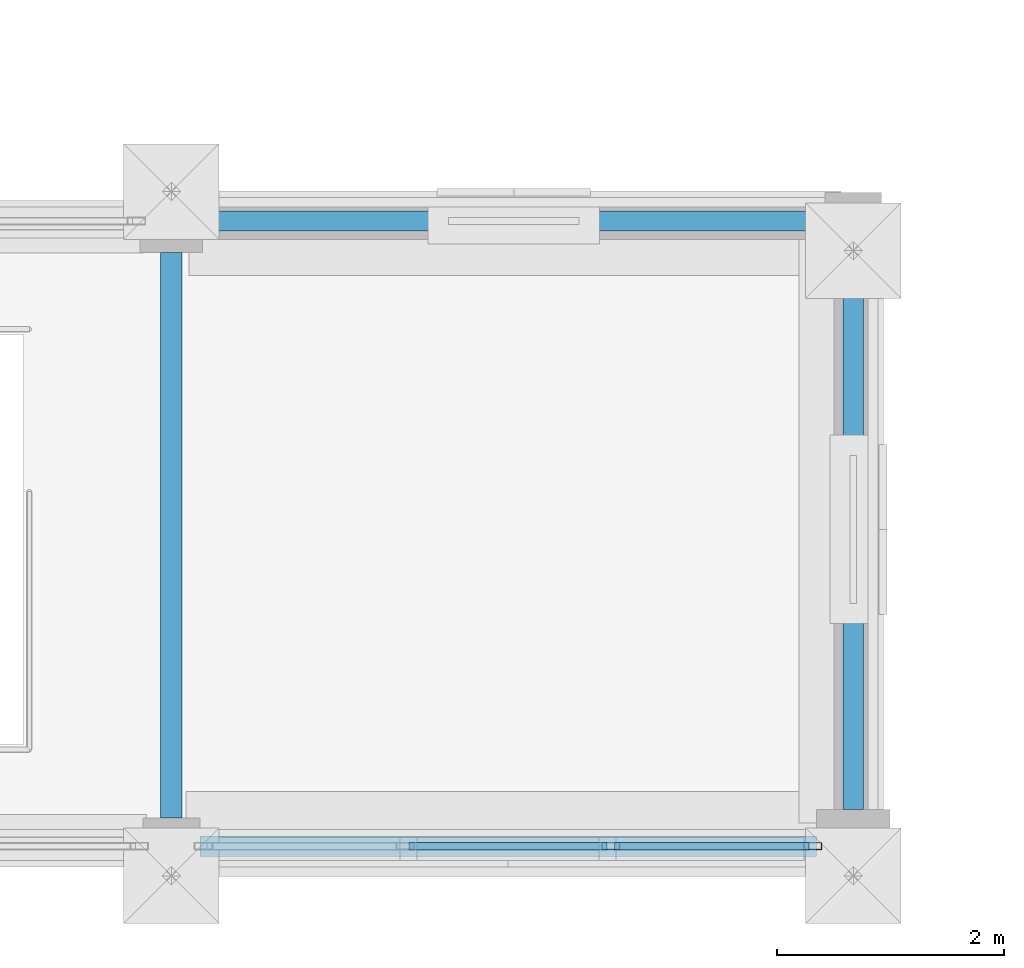
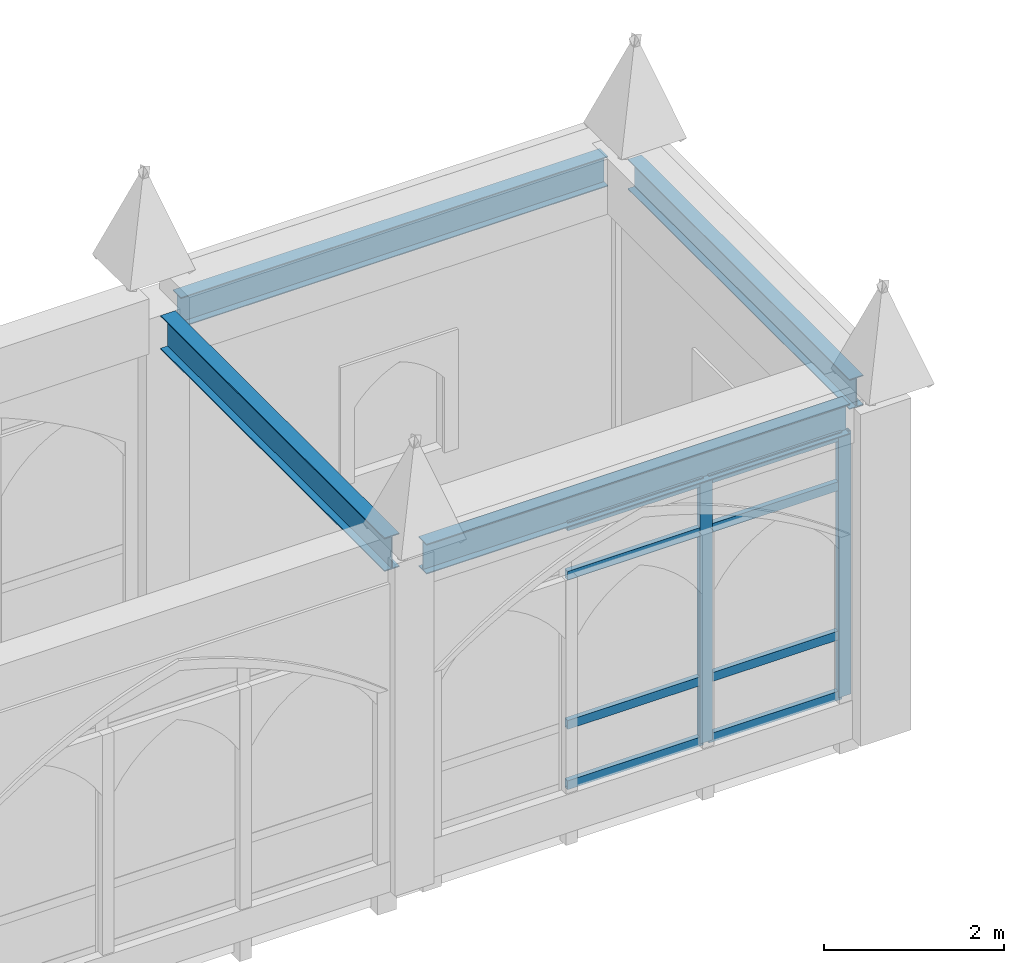
# One storey, part 36 of 143: 10 members, 4 beams, 1 element without a shape of its own.
"""IFC4 building model written with IfcOpenShell, lengths in metres."""

from ifc_helpers import new_model, si_unit, direction, frame, origin, origin_2d, place, context, subcontext, project, spatial, hollow_rectangle, i_section, extrude, material, layer, layer_set, material_profile, profile_set, type_object, element, aggregate, save


model = new_model("IFC4")

# Units and contexts
model_context = context("Model", 3, precision=1e-05, world=origin(), true_north=direction((0.0, 1.0)))
body_context = subcontext(model_context, "Body", "Model", "MODEL_VIEW")
ifc_project = project(units=[si_unit("LENGTHUNIT", "METRE"), si_unit("AREAUNIT", "SQUARE_METRE"), si_unit("VOLUMEUNIT", "CUBIC_METRE"), si_unit("PLANEANGLEUNIT", "RADIAN"), si_unit("MASSUNIT", "GRAM", prefix="KILO")], contexts=[model_context])

# Site, building, storey
site_placement = place(None, origin())
site = spatial("IfcSite", under=ifc_project, at=site_placement, CompositionType="ELEMENT")
building_placement = place(site_placement, origin())
building = spatial("IfcBuilding", under=site, at=building_placement, Name="Cumevento Cable Car Station", CompositionType="ELEMENT")
storey_placement = place(building_placement, frame((0.0, 0.0, 9.0)))
storey = spatial("IfcBuildingStorey", under=building, at=storey_placement, Name="L03", CompositionType="ELEMENT", Elevation=9.0)

# Curtain wall, members
ifc_material_1 = material(Name="Anodised Bronze Aluminium AW-6063-T6", Category="aluminium")
ifc_layer = layer(ifc_material_1, 0.25)
ifc_layer_set = layer_set([ifc_layer], Name="Anodised Bronze Aluminium AW-6063-T6")
curtain_wall_type = type_object("IfcCurtainWallType", Name="Lancet Curtain Wall CW-16 1650", PredefinedType="NOTDEFINED", material=ifc_layer_set)
curtain_wall_placement = place(storey_placement, origin())
curtain_wall = element("IfcCurtainWall", 1, at=curtain_wall_placement, inside=storey, type_object=curtain_wall_type, Name="Lancet Curtain Wall CW-16 L03 #79", PredefinedType="NOTDEFINED")
ifc_material_2 = material(Name="Anodised Bronze Aluminium AW-6063-T6", Category="aluminium")
ifc_material_profile_1 = material_profile(ifc_material_2, hollow_rectangle(XDim=0.06494140625, YDim=0.159912109375, WallThickness=0.00390625, at=origin_2d()), Name="ALUM65x160x4")
ifc_profile_set_1 = profile_set([ifc_material_profile_1], Name="Anodised Bronze Aluminium AW-6063-T6")
member_type_1 = type_object("IfcMemberType", Name="Curtain Mullion CWM-01 ALUM65x160x4", PredefinedType="MULLION", material=ifc_profile_set_1)
member_1_placement = place(storey_placement, frame((81.642578125, 4.0, 0.52001953125), z_axis=(0.0, 0.0, 1.0), x_axis=(0.0, -1.0, 0.0)))
member_1 = element("IfcMember", 2, at=member_1_placement, type_object=member_type_1, Name="CW-16 mullion 1", PredefinedType="MULLION", context=body_context, shape_type="SweptSolid", body=[
    extrude(hollow_rectangle(XDim=0.06494140625, YDim=0.159912109375, WallThickness=0.00390625, at=origin_2d()), origin(), (0.0, 0.0, 1.0), 3.572998046875),
])
member_2_placement = place(storey_placement, frame((79.86669921875, 4.0, 0.52001953125), z_axis=(0.0, 0.0, 1.0), x_axis=(0.0, -1.0, 0.0)))
member_2 = element("IfcMember", 3, at=member_2_placement, type_object=member_type_1, Name="CW-16 mullion 2", PredefinedType="MULLION", context=body_context, shape_type="SweptSolid", body=[
    extrude(hollow_rectangle(XDim=0.06494140625, YDim=0.159912109375, WallThickness=0.00390625, at=origin_2d()), origin(), (0.0, 0.0, 1.0), 3.572998046875),
])
ifc_material_3 = material(Name="Anodised Bronze Aluminium AW-6063-T6", Category="aluminium")
ifc_material_profile_2 = material_profile(ifc_material_3, hollow_rectangle(XDim=0.06494140625, YDim=0.1201171875, WallThickness=0.00390625, at=origin_2d()), Name="ALUT65x120x4")
ifc_profile_set_2 = profile_set([ifc_material_profile_2], Name="Anodised Bronze Aluminium AW-6063-T6")
member_type_2 = type_object("IfcMemberType", Name="Curtain Transom CWT-01 ALUT65x120x4", PredefinedType="USERDEFINED", material=ifc_profile_set_2)
member_3_placement = place(storey_placement, frame((81.610107421875, 4.0, 0.552490234375), z_axis=(-1.0, 0.0, 0.0), x_axis=(0.0, -1.0, 0.0)))
member_3 = element("IfcMember", 4, at=member_3_placement, type_object=member_type_2, Name="CW-16 transom 1.1", ObjectType="TRANSOM", PredefinedType="USERDEFINED", context=body_context, shape_type="SweptSolid", body=[
    extrude(hollow_rectangle(XDim=0.06494140625, YDim=0.1201171875, WallThickness=0.00390625, at=origin_2d()), origin(), (0.0, 0.0, 1.0), 1.7109375),
])
member_4_placement = place(storey_placement, frame((81.610107421875, 4.0, 1.3701171875), z_axis=(-1.0, 0.0, 0.0), x_axis=(0.0, -1.0, 0.0)))
member_4 = element("IfcMember", 5, at=member_4_placement, type_object=member_type_2, Name="CW-16 transom 1.2", ObjectType="TRANSOM", PredefinedType="USERDEFINED", context=body_context, shape_type="SweptSolid", body=[
    extrude(hollow_rectangle(XDim=0.06494140625, YDim=0.1201171875, WallThickness=0.00390625, at=origin_2d()), origin(), (0.0, 0.0, 1.0), 1.7109375),
])
member_5_placement = place(storey_placement, frame((81.610107421875, 4.0, 3.39306640625), z_axis=(-1.0, 0.0, 0.0), x_axis=(0.0, -1.0, 0.0)))
member_5 = element("IfcMember", 6, at=member_5_placement, type_object=member_type_2, Name="CW-16 transom 1.3", ObjectType="TRANSOM", PredefinedType="USERDEFINED", context=body_context, shape_type="SweptSolid", body=[
    extrude(hollow_rectangle(XDim=0.06494140625, YDim=0.1201171875, WallThickness=0.00390625, at=origin_2d()), origin(), (0.0, 0.0, 1.0), 1.7109375),
])
member_6_placement = place(storey_placement, frame((81.610107421875, 4.0, 4.060546875), z_axis=(-1.0, 0.0, 0.0), x_axis=(0.0, -1.0, 0.0)))
member_6 = element("IfcMember", 7, at=member_6_placement, type_object=member_type_2, Name="CW-16 transom 1.4", ObjectType="TRANSOM", PredefinedType="USERDEFINED", context=body_context, shape_type="SweptSolid", body=[
    extrude(hollow_rectangle(XDim=0.06494140625, YDim=0.1201171875, WallThickness=0.00390625, at=origin_2d()), origin(), (0.0, 0.0, 1.0), 1.7109375),
])
member_7_placement = place(storey_placement, frame((79.834228515625, 4.0, 0.552490234375), z_axis=(-1.0, 0.0, 0.0), x_axis=(0.0, -1.0, 0.0)))
member_7 = element("IfcMember", 8, at=member_7_placement, type_object=member_type_2, Name="CW-16 transom 2.1", ObjectType="TRANSOM", PredefinedType="USERDEFINED", context=body_context, shape_type="SweptSolid", body=[
    extrude(hollow_rectangle(XDim=0.06494140625, YDim=0.1201171875, WallThickness=0.00390625, at=origin_2d()), origin(), (0.0, 0.0, 1.0), 1.743408203125),
])
member_8_placement = place(storey_placement, frame((79.834228515625, 4.0, 1.3701171875), z_axis=(-1.0, 0.0, 0.0), x_axis=(0.0, -1.0, 0.0)))
member_8 = element("IfcMember", 9, at=member_8_placement, type_object=member_type_2, Name="CW-16 transom 2.2", ObjectType="TRANSOM", PredefinedType="USERDEFINED", context=body_context, shape_type="SweptSolid", body=[
    extrude(hollow_rectangle(XDim=0.06494140625, YDim=0.1201171875, WallThickness=0.00390625, at=origin_2d()), origin(), (0.0, 0.0, 1.0), 1.743408203125),
])
member_9_placement = place(storey_placement, frame((79.834228515625, 4.0, 3.39306640625), z_axis=(-1.0, 0.0, 0.0), x_axis=(0.0, -1.0, 0.0)))
member_9 = element("IfcMember", 10, at=member_9_placement, type_object=member_type_2, Name="CW-16 transom 2.3", ObjectType="TRANSOM", PredefinedType="USERDEFINED", context=body_context, shape_type="SweptSolid", body=[
    extrude(hollow_rectangle(XDim=0.06494140625, YDim=0.1201171875, WallThickness=0.00390625, at=origin_2d()), origin(), (0.0, 0.0, 1.0), 1.743408203125),
])
member_10_placement = place(storey_placement, frame((79.834228515625, 4.0, 4.060546875), z_axis=(-1.0, 0.0, 0.0), x_axis=(0.0, -1.0, 0.0)))
member_10 = element("IfcMember", 11, at=member_10_placement, type_object=member_type_2, Name="CW-16 transom 2.4", ObjectType="TRANSOM", PredefinedType="USERDEFINED", context=body_context, shape_type="SweptSolid", body=[
    extrude(hollow_rectangle(XDim=0.06494140625, YDim=0.1201171875, WallThickness=0.00390625, at=origin_2d()), origin(), (0.0, 0.0, 1.0), 1.743408203125),
])
aggregate(curtain_wall, [member_1, member_2, member_3, member_4, member_5, member_6, member_7, member_8, member_9, member_10])

# Beams
ifc_material_4 = material(Name="Steel ASTM A572 Grade 50", Category="steel")
ifc_material_profile_3 = material_profile(ifc_material_4, i_section(OverallWidth=0.18994140625, OverallDepth=0.45703125, WebThickness=0.009033203125, FlangeThickness=0.014404296875, at=origin_2d()), Name="W460x74.0")
ifc_profile_set_3 = profile_set([ifc_material_profile_3], Name="Steel ASTM A572 Grade 50")
beam_type_1 = type_object("IfcBeamType", Name="Structural Beam BM-04 W460x74.0", PredefinedType="BEAM", material=ifc_profile_set_3)
beam_1_placement = place(storey_placement, frame((76.0, 4.25, 4.271484375), z_axis=(0.0, 1.0, 0.0), x_axis=(-1.0, 0.0, 0.0)))
element("IfcBeam", 12, at=beam_1_placement, inside=storey, type_object=beam_type_1, Name="Beam BM-04 L03 #962", PredefinedType="BEAM", context=body_context, shape_type="SweptSolid", body=[
    extrude(i_section(OverallWidth=0.18994140625, OverallDepth=0.45703125, WebThickness=0.009033203125, FlangeThickness=0.014404296875, at=origin_2d()), origin(), (0.0, 0.0, 1.0), 4.97509765625),
])
ifc_material_5 = material(Name="Steel ASTM A572 Grade 50", Category="steel")
ifc_material_profile_4 = material_profile(ifc_material_5, i_section(OverallWidth=0.177978515625, OverallDepth=0.406982421875, WebThickness=0.0078125, FlangeThickness=0.0126953125, at=origin_2d()), Name="W410x60.0")
ifc_profile_set_4 = profile_set([ifc_material_profile_4], Name="Steel ASTM A572 Grade 50")
beam_type_2 = type_object("IfcBeamType", Name="Structural Spandrel SP-01 W410x60.0", PredefinedType="SPANDREL", material=ifc_profile_set_4)
beam_2_placement = place(storey_placement, frame((76.25, 4.0, 4.29638671875), z_axis=(1.0, 0.0, 0.0), x_axis=(0.0, 1.0, 0.0)))
element("IfcBeam", 13, at=beam_2_placement, inside=storey, type_object=beam_type_2, Name="Beam SP-01 L03 #951", PredefinedType="SPANDREL", context=body_context, shape_type="SweptSolid", body=[
    extrude(i_section(OverallWidth=0.177978515625, OverallDepth=0.406982421875, WebThickness=0.0078125, FlangeThickness=0.0126953125, at=origin_2d()), origin(), (0.0, 0.0, 1.0), 5.425048828125),
])
beam_3_placement = place(storey_placement, frame((76.27490234375, 9.5, 4.29638671875), z_axis=(1.0, 0.0, 0.0), x_axis=(0.0, 1.0, 0.0)))
element("IfcBeam", 14, at=beam_3_placement, inside=storey, type_object=beam_type_2, Name="Beam SP-01 L03 #957", PredefinedType="SPANDREL", context=body_context, shape_type="SweptSolid", body=[
    extrude(i_section(OverallWidth=0.177978515625, OverallDepth=0.406982421875, WebThickness=0.0078125, FlangeThickness=0.0126953125, at=origin_2d()), origin(), (0.0, 0.0, 1.0), 5.47509765625),
])
beam_4_placement = place(storey_placement, frame((82.0, 4.324951171875, 4.29638671875), z_axis=(0.0, 1.0, 0.0), x_axis=(-1.0, 0.0, 0.0)))
element("IfcBeam", 15, at=beam_4_placement, inside=storey, type_object=beam_type_2, Name="Beam SP-01 L03 #963", PredefinedType="SPANDREL", context=body_context, shape_type="SweptSolid", body=[
    extrude(i_section(OverallWidth=0.177978515625, OverallDepth=0.406982421875, WebThickness=0.0078125, FlangeThickness=0.0126953125, at=origin_2d()), origin(), (0.0, 0.0, 1.0), 4.925048828125),
])

save(model, "model.ifc")
